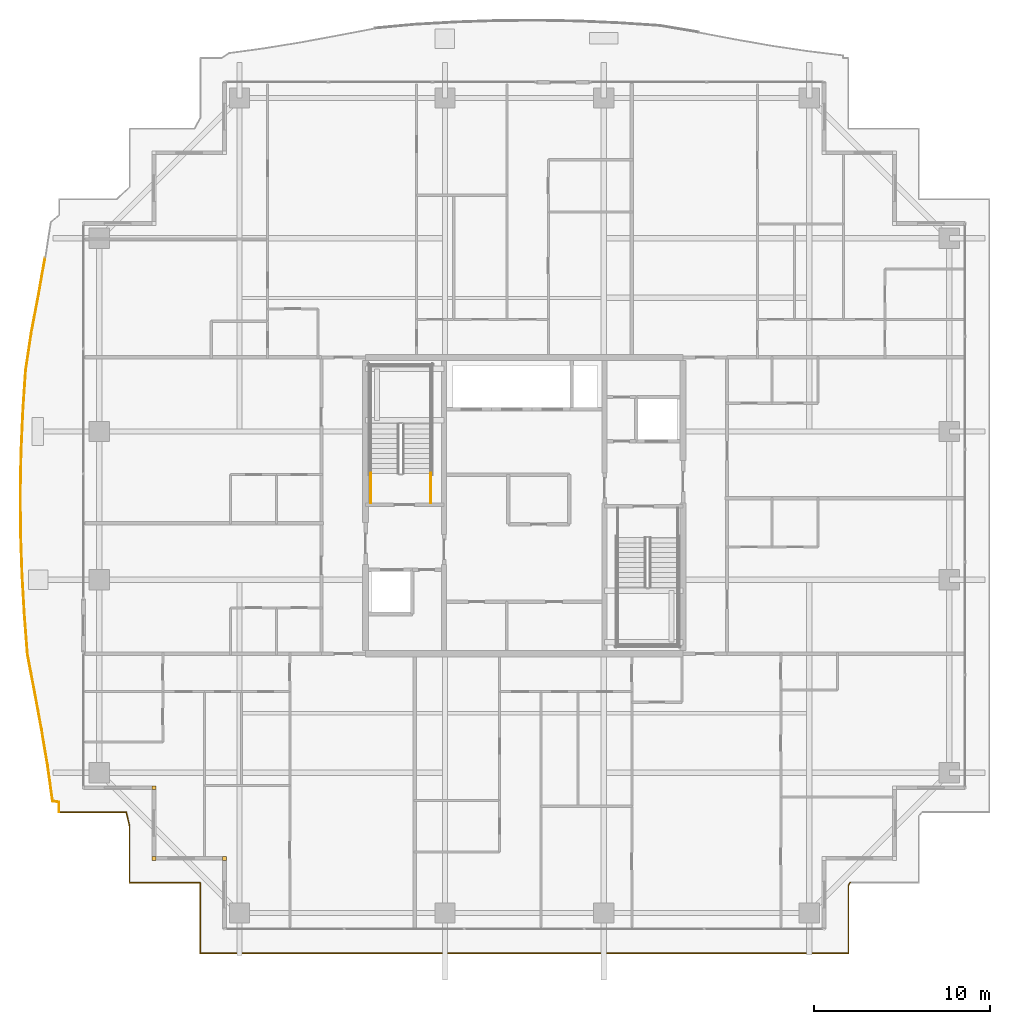
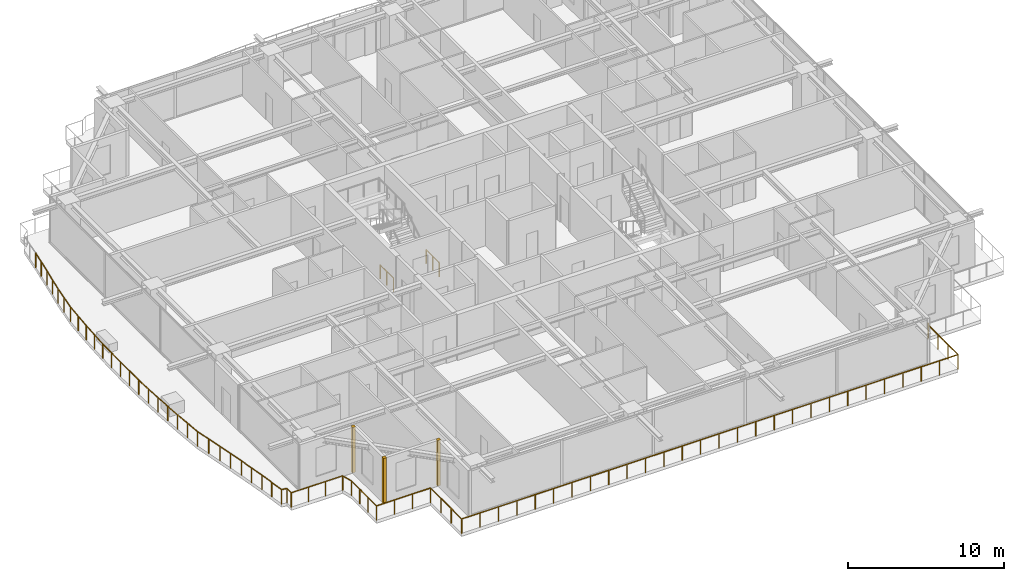
# One storey, part 35 of 39: 5 railings, 3 coverings.
"""IFC4 building model written with IfcOpenShell, lengths in metres."""

from ifc_helpers import new_model, si_unit, direction, frame, origin, origin_2d, place, context, subcontext, project, spatial, rectangle, circle, extrude, source, transform, mapped, material, layer, layer_set, type_object, element, save


model = new_model("IFC4")

# Units and contexts
model_context = context("Model", 3, precision=1e-05, world=origin(), true_north=direction((0.0, 1.0)))
body_context = subcontext(model_context, "Body", "Model", "MODEL_VIEW")
ifc_project = project(units=[si_unit("LENGTHUNIT", "METRE"), si_unit("AREAUNIT", "SQUARE_METRE"), si_unit("VOLUMEUNIT", "CUBIC_METRE"), si_unit("PLANEANGLEUNIT", "RADIAN"), si_unit("MASSUNIT", "GRAM", prefix="KILO")], contexts=[model_context])

# Site, building, storey
site_placement = place(None, origin())
site = spatial("IfcSite", under=ifc_project, at=site_placement, CompositionType="ELEMENT")
building_placement = place(site_placement, origin())
building = spatial("IfcBuilding", under=site, at=building_placement, Name="Serunith Strait Residences", CompositionType="ELEMENT")
storey_placement = place(building_placement, frame((0.0, 0.0, 222.0)))
storey = spatial("IfcBuildingStorey", under=building, at=storey_placement, Name="L55", CompositionType="ELEMENT", Elevation=222.0)

# Railings
ifc_material_1 = material(Name="Stainless Steel & Laminated Glass Balustrade", Category="steel")
railing_type_1 = type_object("IfcRailingType", Name="RLG-BALC-1150", PredefinedType="BALUSTRADE", material=ifc_material_1)
railing_1_placement = place(storey_placement, frame((6.02001953125, 7.820068359375, -0.050048828125)))
element("IfcRailing", 1, at=railing_1_placement, inside=storey, type_object=railing_type_1, Name="L55 Swirling Balcony Perimeter Balustrade 1", PredefinedType="BALUSTRADE", context=body_context, shape_type="SweptSolid", body=[
    extrude(circle(Radius=0.02392578125, at=origin_2d()), frame((0.0, 0.001953125, 1.1259765625), z_axis=(0.0, 1.0, 0.0), x_axis=(-1.0, 0.0, 0.0)), (0.0, 0.0, 1.0), 0.559814453125),
    extrude(circle(Radius=0.02392578125, at=origin_2d()), frame((-0.001953125, 0.56396484375, 1.1259765625), z_axis=(-0.986101505204, 0.166143978026, 0.0), x_axis=(-0.166143978026, -0.986101505204, 0.0)), (0.0, 0.0, 1.0), 0.35888671875),
    extrude(circle(Radius=0.02392578125, at=origin_2d()), frame((-0.358154296875, 0.6259765625, 1.1259765625), z_axis=(-0.139969054945, 0.990155878465, 0.0), x_axis=(-0.990155878465, -0.139969054945, 0.0)), (0.0, 0.0, 1.0), 2.043701171875),
    extrude(circle(Radius=0.02392578125, at=origin_2d()), frame((-0.644775390625, 2.653564453125, 1.1259765625), z_axis=(-0.164570544846, 0.986365315575, 0.0), x_axis=(-0.986365315575, -0.164570544846, 0.0)), (0.0, 0.0, 1.0), 2.072998046875),
    extrude(circle(Radius=0.02392578125, at=origin_2d()), frame((-0.986572265625, 4.7021484375, 1.1259765625), z_axis=(-0.182295180843, 0.983243849226, 0.0), x_axis=(-0.983243849226, -0.182295180843, 0.0)), (0.0, 0.0, 1.0), 2.11865234375),
    extrude(circle(Radius=0.02392578125, at=origin_2d()), frame((-1.373779296875, 6.789306640625, 1.1259765625), z_axis=(-0.186557014881, 0.982444135918, 0.0), x_axis=(-0.982444135918, -0.186557014881, 0.0)), (0.0, 0.0, 1.0), 2.178955078125),
    extrude(circle(Radius=0.02392578125, at=origin_2d()), frame((-1.78076171875, 8.933837890625, 1.1259765625), z_axis=(-0.077824143256, 0.996967102128, 0.0), x_axis=(-0.996967102128, -0.077824143256, 0.0)), (0.0, 0.0, 1.0), 2.26416015625),
    extrude(circle(Radius=0.02392578125, at=origin_2d()), frame((-1.95703125, 11.195068359375, 1.1259765625), z_axis=(-0.057216057496, 0.998361819565, 0.0), x_axis=(-0.998361819565, -0.057216057496, 0.0)), (0.0, 0.0, 1.0), 2.2958984375),
    extrude(circle(Radius=0.02099609375, at=origin_2d()), origin(), (0.0, 0.0, 1.0), 1.099853515625),
    extrude(circle(Radius=0.02099609375, at=origin_2d()), frame((0.0, 0.563720703125, 0.0)), (0.0, 0.0, 1.0), 1.099853515625),
    extrude(circle(Radius=0.02099609375, at=origin_2d()), frame((-0.35791015625, 0.6240234375, 0.0)), (0.0, 0.0, 1.0), 1.099853515625),
    extrude(circle(Radius=0.02099609375, at=origin_2d()), frame((-0.501220703125, 1.6376953125, 0.0)), (0.0, 0.0, 1.0), 1.099853515625),
    extrude(circle(Radius=0.02099609375, at=origin_2d()), frame((-0.64453125, 2.651611328125, 0.0)), (0.0, 0.0, 1.0), 1.099853515625),
    extrude(circle(Radius=0.02099609375, at=origin_2d()), frame((-0.8154296875, 3.67578125, 0.0)), (0.0, 0.0, 1.0), 1.099853515625),
    extrude(circle(Radius=0.02099609375, at=origin_2d()), frame((-0.986328125, 4.7001953125, 0.0)), (0.0, 0.0, 1.0), 1.099853515625),
    extrude(circle(Radius=0.02099609375, at=origin_2d()), frame((-1.1796875, 5.74365234375, 0.0)), (0.0, 0.0, 1.0), 1.099853515625),
    extrude(circle(Radius=0.02099609375, at=origin_2d()), frame((-1.373291015625, 6.787353515625, 0.0)), (0.0, 0.0, 1.0), 1.099853515625),
    extrude(circle(Radius=0.02099609375, at=origin_2d()), frame((-1.576904296875, 7.859619140625, 0.0)), (0.0, 0.0, 1.0), 1.099853515625),
    extrude(circle(Radius=0.02099609375, at=origin_2d()), frame((-1.780517578125, 8.931884765625, 0.0)), (0.0, 0.0, 1.0), 1.099853515625),
    extrude(circle(Radius=0.02099609375, at=origin_2d()), frame((-1.86865234375, 10.0625, 0.0)), (0.0, 0.0, 1.0), 1.099853515625),
    extrude(circle(Radius=0.02099609375, at=origin_2d()), frame((-1.95703125, 11.193115234375, 0.0)), (0.0, 0.0, 1.0), 1.099853515625),
    extrude(circle(Radius=0.02099609375, at=origin_2d()), frame((-2.02294921875, 12.34130859375, 0.0)), (0.0, 0.0, 1.0), 1.099853515625),
    extrude(circle(Radius=0.02099609375, at=origin_2d()), frame((-2.088623046875, 13.4892578125, 0.0)), (0.0, 0.0, 1.0), 1.099853515625),
])
railing_2_placement = place(storey_placement, frame((3.931396484375, 21.309326171875, -0.050048828125)))
element("IfcRailing", 2, at=railing_2_placement, inside=storey, type_object=railing_type_1, Name="L55 Swirling Balcony Perimeter Balustrade 2", PredefinedType="BALUSTRADE", context=body_context, shape_type="SweptSolid", body=[
    extrude(circle(Radius=0.02392578125, at=origin_2d()), frame((0.0, 0.001953125, 1.1259765625), z_axis=(-0.034067535897, 0.999419533028, 0.0), x_axis=(-0.999419533028, -0.034067535897, 0.0)), (0.0, 0.0, 1.0), 2.31787109375),
    extrude(circle(Radius=0.02392578125, at=origin_2d()), frame((-0.0791015625, 2.322509765625, 1.1259765625), z_axis=(-0.007956197081, 0.999968348963, 0.0), x_axis=(-0.999968348963, -0.007956197081, 0.0)), (0.0, 0.0, 1.0), 2.328125),
    extrude(circle(Radius=0.02392578125, at=origin_2d()), frame((-0.09765625, 4.654541015625, 1.1259765625), z_axis=(0.019084095913, 0.999817882058, 0.0), x_axis=(-0.999817882058, 0.019084095913, 0.0)), (0.0, 0.0, 1.0), 2.32421875),
    extrude(circle(Radius=0.02392578125, at=origin_2d()), frame((-0.05322265625, 6.982421875, 1.1259765625), z_axis=(0.044349092051, 0.999016094983, 0.0), x_axis=(-0.999016094983, 0.044349092051, 0.0)), (0.0, 0.0, 1.0), 2.30810546875),
    extrude(circle(Radius=0.02392578125, at=origin_2d()), frame((0.049560546875, 9.292236328125, 1.1259765625), z_axis=(0.066355892887, 0.997796018973, 0.0), x_axis=(-0.997796018973, 0.066355892887, 0.0)), (0.0, 0.0, 1.0), 2.28076171875),
    extrude(circle(Radius=0.02392578125, at=origin_2d()), frame((0.201171875, 11.572021484375, 1.1259765625), z_axis=(0.150268779461, 0.988645181002, 0.0), x_axis=(-0.988645181002, 0.150268779461, 0.0)), (0.0, 0.0, 1.0), 2.212158203125),
    extrude(circle(Radius=0.02392578125, at=origin_2d()), frame((0.534423828125, 13.762939453125, 1.1259765625), z_axis=(0.186672730291, 0.982422155575, 0.0), x_axis=(-0.982422155575, 0.186672730291, 0.0)), (0.0, 0.0, 1.0), 2.140869140625),
    extrude(circle(Radius=0.02392578125, at=origin_2d()), frame((0.9345703125, 15.8701171875, 1.1259765625), z_axis=(0.174098189393, 0.984728297781, 0.0), x_axis=(-0.984728297781, 0.174098189393, 0.0)), (0.0, 0.0, 1.0), 2.088134765625),
    extrude(circle(Radius=0.02099609375, at=origin_2d()), origin(), (0.0, 0.0, 1.0), 1.099853515625),
    extrude(circle(Radius=0.02099609375, at=origin_2d()), frame((-0.03955078125, 1.16015625, 0.0)), (0.0, 0.0, 1.0), 1.099853515625),
    extrude(circle(Radius=0.02099609375, at=origin_2d()), frame((-0.0791015625, 2.320556640625, 0.0)), (0.0, 0.0, 1.0), 1.099853515625),
    extrude(circle(Radius=0.02099609375, at=origin_2d()), frame((-0.08837890625, 3.486572265625, 0.0)), (0.0, 0.0, 1.0), 1.099853515625),
    extrude(circle(Radius=0.02099609375, at=origin_2d()), frame((-0.09765625, 4.652587890625, 0.0)), (0.0, 0.0, 1.0), 1.099853515625),
    extrude(circle(Radius=0.02099609375, at=origin_2d()), frame((-0.075439453125, 5.81640625, 0.0)), (0.0, 0.0, 1.0), 1.099853515625),
    extrude(circle(Radius=0.02099609375, at=origin_2d()), frame((-0.05322265625, 6.98046875, 0.0)), (0.0, 0.0, 1.0), 1.099853515625),
    extrude(circle(Radius=0.02099609375, at=origin_2d()), frame((-0.001953125, 8.13525390625, 0.0)), (0.0, 0.0, 1.0), 1.099853515625),
    extrude(circle(Radius=0.02099609375, at=origin_2d()), frame((0.04931640625, 9.290283203125, 0.0)), (0.0, 0.0, 1.0), 1.099853515625),
    extrude(circle(Radius=0.02099609375, at=origin_2d()), frame((0.125, 10.43017578125, 0.0)), (0.0, 0.0, 1.0), 1.099853515625),
    extrude(circle(Radius=0.02099609375, at=origin_2d()), frame((0.200927734375, 11.570068359375, 0.0)), (0.0, 0.0, 1.0), 1.099853515625),
    extrude(circle(Radius=0.02099609375, at=origin_2d()), frame((0.367431640625, 12.66552734375, 0.0)), (0.0, 0.0, 1.0), 1.099853515625),
    extrude(circle(Radius=0.02099609375, at=origin_2d()), frame((0.533935546875, 13.760986328125, 0.0)), (0.0, 0.0, 1.0), 1.099853515625),
    extrude(circle(Radius=0.02099609375, at=origin_2d()), frame((0.734130859375, 14.814453125, 0.0)), (0.0, 0.0, 1.0), 1.099853515625),
    extrude(circle(Radius=0.02099609375, at=origin_2d()), frame((0.934326171875, 15.8681640625, 0.0)), (0.0, 0.0, 1.0), 1.099853515625),
    extrude(circle(Radius=0.02099609375, at=origin_2d()), frame((1.116455078125, 16.8984375, 0.0)), (0.0, 0.0, 1.0), 1.099853515625),
    extrude(circle(Radius=0.02099609375, at=origin_2d()), frame((1.298583984375, 17.928466796875, 0.0)), (0.0, 0.0, 1.0), 1.099853515625),
])
railing_3_placement = place(storey_placement, frame((50.881103515625, 3.820068359375, -0.050048828125)))
element("IfcRailing", 3, at=railing_3_placement, inside=storey, type_object=railing_type_1, Name="L55 Swirling Balcony Perimeter Balustrade 8", PredefinedType="BALUSTRADE", context=body_context, shape_type="SweptSolid", body=[
    extrude(circle(Radius=0.02392578125, at=origin_2d()), frame((-0.0009765625, -0.001708984375, 1.1259765625), z_axis=(-0.546751112301, -0.83729518164, 0.0), x_axis=(0.83729518164, -0.546751112301, 0.0)), (0.0, 0.0, 1.0), 0.180908203125),
    extrude(circle(Radius=0.02392578125, at=origin_2d()), frame((-0.10107421875, -0.15673828125, 1.1259765625), z_axis=(0.0, -1.0, 0.0), x_axis=(1.0, 0.0, 0.0)), (0.0, 0.0, 1.0), 3.84130859375),
    extrude(circle(Radius=0.02392578125, at=origin_2d()), frame((-0.10302734375, -4.0, 1.1259765625), z_axis=(-1.0, 0.0, 0.0), x_axis=(0.0, -1.0, 0.0)), (0.0, 0.0, 1.0), 36.756103515625),
    extrude(circle(Radius=0.02392578125, at=origin_2d()), frame((-36.861083984375, -3.998046875, 1.1259765625), z_axis=(0.0, 1.0, 0.0), x_axis=(-1.0, 0.0, 0.0)), (0.0, 0.0, 1.0), 3.99609375),
    extrude(circle(Radius=0.02392578125, at=origin_2d()), frame((-36.863037109375, 0.0, 1.1259765625), z_axis=(-1.0, 0.0, 0.0), x_axis=(0.0, -1.0, 0.0)), (0.0, 0.0, 1.0), 3.99609375),
    extrude(circle(Radius=0.02392578125, at=origin_2d()), frame((-40.861083984375, 0.001953125, 1.1259765625), z_axis=(0.0, 1.0, 0.0), x_axis=(-1.0, 0.0, 0.0)), (0.0, 0.0, 1.0), 3.210693359375),
    extrude(circle(Radius=0.02392578125, at=origin_2d()), frame((-40.861572265625, 3.216552734375, 1.1259765625), z_axis=(-0.236775411307, 0.971564410938, 0.0), x_axis=(-0.971564410938, -0.236775411307, 0.0)), (0.0, 0.0, 1.0), 0.804443359375),
    extrude(circle(Radius=0.02392578125, at=origin_2d()), frame((-41.054443359375, 4.0, 1.1259765625), z_axis=(-1.0, 0.0, 0.0), x_axis=(0.0, -1.0, 0.0)), (0.0, 0.0, 1.0), 3.8046875),
    extrude(circle(Radius=0.02099609375, at=origin_2d()), origin(), (0.0, 0.0, 1.0), 1.099853515625),
    extrude(circle(Radius=0.02099609375, at=origin_2d()), frame((-0.10107421875, -0.15478515625, 0.0)), (0.0, 0.0, 1.0), 1.099853515625),
    extrude(circle(Radius=0.02099609375, at=origin_2d()), frame((-0.10107421875, -1.4365234375, 0.0)), (0.0, 0.0, 1.0), 1.099853515625),
    extrude(circle(Radius=0.02099609375, at=origin_2d()), frame((-0.10107421875, -2.71826171875, 0.0)), (0.0, 0.0, 1.0), 1.099853515625),
    extrude(circle(Radius=0.02099609375, at=origin_2d()), frame((-0.10107421875, -4.0, 0.0)), (0.0, 0.0, 1.0), 1.099853515625),
    extrude(circle(Radius=0.02099609375, at=origin_2d()), frame((-1.462646484375, -4.0, 0.0)), (0.0, 0.0, 1.0), 1.099853515625),
    extrude(circle(Radius=0.02099609375, at=origin_2d()), frame((-2.823974609375, -4.0, 0.0)), (0.0, 0.0, 1.0), 1.099853515625),
    extrude(circle(Radius=0.02099609375, at=origin_2d()), frame((-4.185546875, -4.0, 0.0)), (0.0, 0.0, 1.0), 1.099853515625),
    extrude(circle(Radius=0.02099609375, at=origin_2d()), frame((-5.547119140625, -4.0, 0.0)), (0.0, 0.0, 1.0), 1.099853515625),
    extrude(circle(Radius=0.02099609375, at=origin_2d()), frame((-6.908447265625, -4.0, 0.0)), (0.0, 0.0, 1.0), 1.099853515625),
    extrude(circle(Radius=0.02099609375, at=origin_2d()), frame((-8.27001953125, -4.0, 0.0)), (0.0, 0.0, 1.0), 1.099853515625),
    extrude(circle(Radius=0.02099609375, at=origin_2d()), frame((-9.63134765625, -4.0, 0.0)), (0.0, 0.0, 1.0), 1.099853515625),
    extrude(circle(Radius=0.02099609375, at=origin_2d()), frame((-10.992919921875, -4.0, 0.0)), (0.0, 0.0, 1.0), 1.099853515625),
    extrude(circle(Radius=0.02099609375, at=origin_2d()), frame((-12.3544921875, -4.0, 0.0)), (0.0, 0.0, 1.0), 1.099853515625),
    extrude(circle(Radius=0.02099609375, at=origin_2d()), frame((-13.7158203125, -4.0, 0.0)), (0.0, 0.0, 1.0), 1.099853515625),
    extrude(circle(Radius=0.02099609375, at=origin_2d()), frame((-15.077392578125, -4.0, 0.0)), (0.0, 0.0, 1.0), 1.099853515625),
    extrude(circle(Radius=0.02099609375, at=origin_2d()), frame((-16.43896484375, -4.0, 0.0)), (0.0, 0.0, 1.0), 1.099853515625),
    extrude(circle(Radius=0.02099609375, at=origin_2d()), frame((-17.80029296875, -4.0, 0.0)), (0.0, 0.0, 1.0), 1.099853515625),
    extrude(circle(Radius=0.02099609375, at=origin_2d()), frame((-19.161865234375, -4.0, 0.0)), (0.0, 0.0, 1.0), 1.099853515625),
    extrude(circle(Radius=0.02099609375, at=origin_2d()), frame((-20.523193359375, -4.0, 0.0)), (0.0, 0.0, 1.0), 1.099853515625),
    extrude(circle(Radius=0.02099609375, at=origin_2d()), frame((-21.884765625, -4.0, 0.0)), (0.0, 0.0, 1.0), 1.099853515625),
    extrude(circle(Radius=0.02099609375, at=origin_2d()), frame((-23.246337890625, -4.0, 0.0)), (0.0, 0.0, 1.0), 1.099853515625),
    extrude(circle(Radius=0.02099609375, at=origin_2d()), frame((-24.607666015625, -4.0, 0.0)), (0.0, 0.0, 1.0), 1.099853515625),
    extrude(circle(Radius=0.02099609375, at=origin_2d()), frame((-25.96923828125, -4.0, 0.0)), (0.0, 0.0, 1.0), 1.099853515625),
    extrude(circle(Radius=0.02099609375, at=origin_2d()), frame((-27.330810546875, -4.0, 0.0)), (0.0, 0.0, 1.0), 1.099853515625),
    extrude(circle(Radius=0.02099609375, at=origin_2d()), frame((-28.692138671875, -4.0, 0.0)), (0.0, 0.0, 1.0), 1.099853515625),
    extrude(circle(Radius=0.02099609375, at=origin_2d()), frame((-30.0537109375, -4.0, 0.0)), (0.0, 0.0, 1.0), 1.099853515625),
    extrude(circle(Radius=0.02099609375, at=origin_2d()), frame((-31.4150390625, -4.0, 0.0)), (0.0, 0.0, 1.0), 1.099853515625),
    extrude(circle(Radius=0.02099609375, at=origin_2d()), frame((-32.776611328125, -4.0, 0.0)), (0.0, 0.0, 1.0), 1.099853515625),
    extrude(circle(Radius=0.02099609375, at=origin_2d()), frame((-34.13818359375, -4.0, 0.0)), (0.0, 0.0, 1.0), 1.099853515625),
    extrude(circle(Radius=0.02099609375, at=origin_2d()), frame((-35.49951171875, -4.0, 0.0)), (0.0, 0.0, 1.0), 1.099853515625),
    extrude(circle(Radius=0.02099609375, at=origin_2d()), frame((-36.861083984375, -4.0, 0.0)), (0.0, 0.0, 1.0), 1.099853515625),
    extrude(circle(Radius=0.02099609375, at=origin_2d()), frame((-36.861083984375, -2.666748046875, 0.0)), (0.0, 0.0, 1.0), 1.099853515625),
    extrude(circle(Radius=0.02099609375, at=origin_2d()), frame((-36.861083984375, -1.333251953125, 0.0)), (0.0, 0.0, 1.0), 1.099853515625),
    extrude(circle(Radius=0.02099609375, at=origin_2d()), frame((-36.861083984375, 0.0, 0.0)), (0.0, 0.0, 1.0), 1.099853515625),
    extrude(circle(Radius=0.02099609375, at=origin_2d()), frame((-38.1943359375, 0.0, 0.0)), (0.0, 0.0, 1.0), 1.099853515625),
    extrude(circle(Radius=0.02099609375, at=origin_2d()), frame((-39.52783203125, 0.0, 0.0)), (0.0, 0.0, 1.0), 1.099853515625),
    extrude(circle(Radius=0.02099609375, at=origin_2d()), frame((-40.861083984375, 0.0, 0.0)), (0.0, 0.0, 1.0), 1.099853515625),
    extrude(circle(Radius=0.02099609375, at=origin_2d()), frame((-40.861083984375, 1.071533203125, 0.0)), (0.0, 0.0, 1.0), 1.099853515625),
    extrude(circle(Radius=0.02099609375, at=origin_2d()), frame((-40.861083984375, 2.14306640625, 0.0)), (0.0, 0.0, 1.0), 1.099853515625),
    extrude(circle(Radius=0.02099609375, at=origin_2d()), frame((-40.861083984375, 3.214599609375, 0.0)), (0.0, 0.0, 1.0), 1.099853515625),
    extrude(circle(Radius=0.02099609375, at=origin_2d()), frame((-41.052490234375, 4.0, 0.0)), (0.0, 0.0, 1.0), 1.099853515625),
    extrude(circle(Radius=0.02099609375, at=origin_2d()), frame((-42.322021484375, 4.0, 0.0)), (0.0, 0.0, 1.0), 1.099853515625),
    extrude(circle(Radius=0.02099609375, at=origin_2d()), frame((-43.591552734375, 4.0, 0.0)), (0.0, 0.0, 1.0), 1.099853515625),
    extrude(circle(Radius=0.02099609375, at=origin_2d()), frame((-44.861083984375, 4.0, 0.0)), (0.0, 0.0, 1.0), 1.099853515625),
])
ifc_material_2 = material(Name="Brushed stainless steel 316L", Category="steel")
railing_type_2 = type_object("IfcRailingType", Name="RLG-STAIR-GUARD", PredefinedType="BALUSTRADE", material=ifc_material_2)
for number, where, name in (
    (4, (27.10009765625, 25.35009765625, 0.0), "L55 ST-1 stair guard 8"),
    (5, (23.699951171875, 25.35009765625, 0.0), "L55 ST-1 stair guard 9"),
):
    element("IfcRailing", number, at=place(storey_placement, frame(where)), inside=storey, type_object=railing_type_2, Name=name, PredefinedType="BALUSTRADE", context=body_context, shape_type="SweptSolid", body=[
        extrude(circle(Radius=0.02392578125, at=origin_2d()), frame((0.0, 0.001953125, 1.076171875), z_axis=(0.0, 1.0, 0.0), x_axis=(-1.0, 0.0, 0.0)), (0.0, 0.0, 1.0), 1.676025390625),
        extrude(circle(Radius=0.02099609375, at=origin_2d()), origin(), (0.0, 0.0, 1.0), 1.050048828125),
        extrude(circle(Radius=0.02099609375, at=origin_2d()), frame((0.0, 0.83984375, 0.0)), (0.0, 0.0, 1.0), 1.050048828125),
        extrude(circle(Radius=0.02099609375, at=origin_2d()), frame((0.0, 1.679931640625, 0.0)), (0.0, 0.0, 1.0), 1.050048828125),
    ])

# Coverings
ifc_material_3 = material(Name="Pale-Champagne Anodised Aluminium", Category="aluminium")
ifc_layer = layer(ifc_material_3, 0.219970703125, Name="Pale-Champagne Anodised Aluminium")
ifc_layer_set = layer_set([ifc_layer], Name="Pale-Champagne Anodised Aluminium")
covering_type = type_object("IfcCoveringType", Name="COV-CORN-TRIM", PredefinedType="CLADDING", material=ifc_layer_set)
shared_shape = source(origin(), body_context, "Body", "SweptSolid", [
    extrude(rectangle(XDim=0.221923828125, YDim=0.221923828125, at=origin_2d()), origin(), (0.0, 0.0, 1.0), 3.574951171875),
])
for number, where, z_axis, x_axis, name in (
    (6, (11.39990234375, 9.199951171875, 0.0), (0.0, 0.0, 1.0), (1.0, 0.0, 0.0), "L55 Girih Serrated Corner Trim Post 17"),
    (7, (11.39990234375, 5.199951171875, 0.0), (0.0, 0.0, 1.0), (1.0, 0.0, 0.0), "L55 Girih Serrated Corner Trim Post 18"),
    (8, (15.39990234375, 5.199951171875, 0.0), (0.0, 0.0, 1.0), (1.0, 0.0, 0.0), "L55 Girih Serrated Corner Trim Post 19"),
):
    element("IfcCovering", number, at=place(storey_placement, frame(where, z_axis=z_axis, x_axis=x_axis)), inside=storey, type_object=covering_type, Name=name, PredefinedType="CLADDING", context=body_context, shape_type="MappedRepresentation", body=[
        mapped(shared_shape, transform((0.0, 0.0, 0.0), scale=1.0)),
    ])

save(model, "model.ifc")
